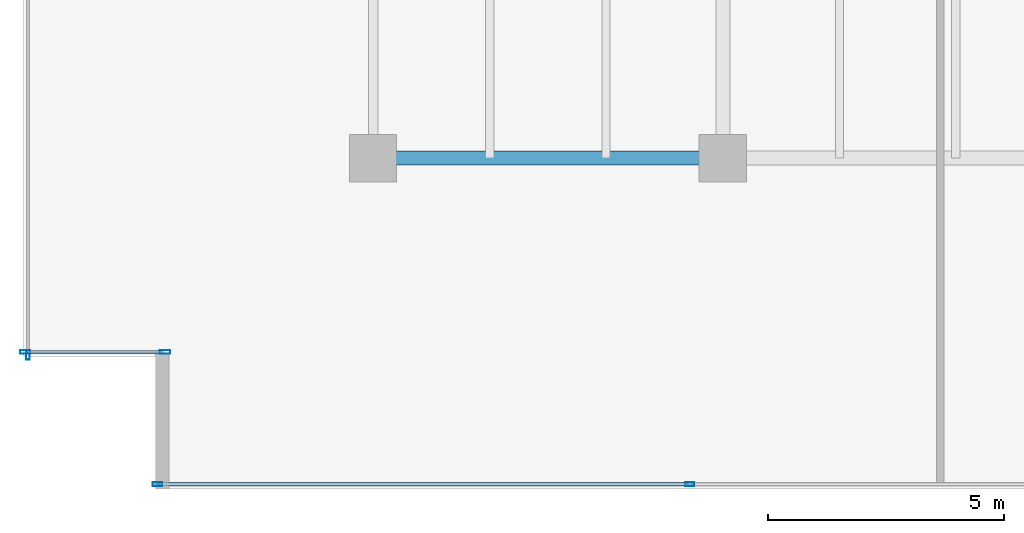
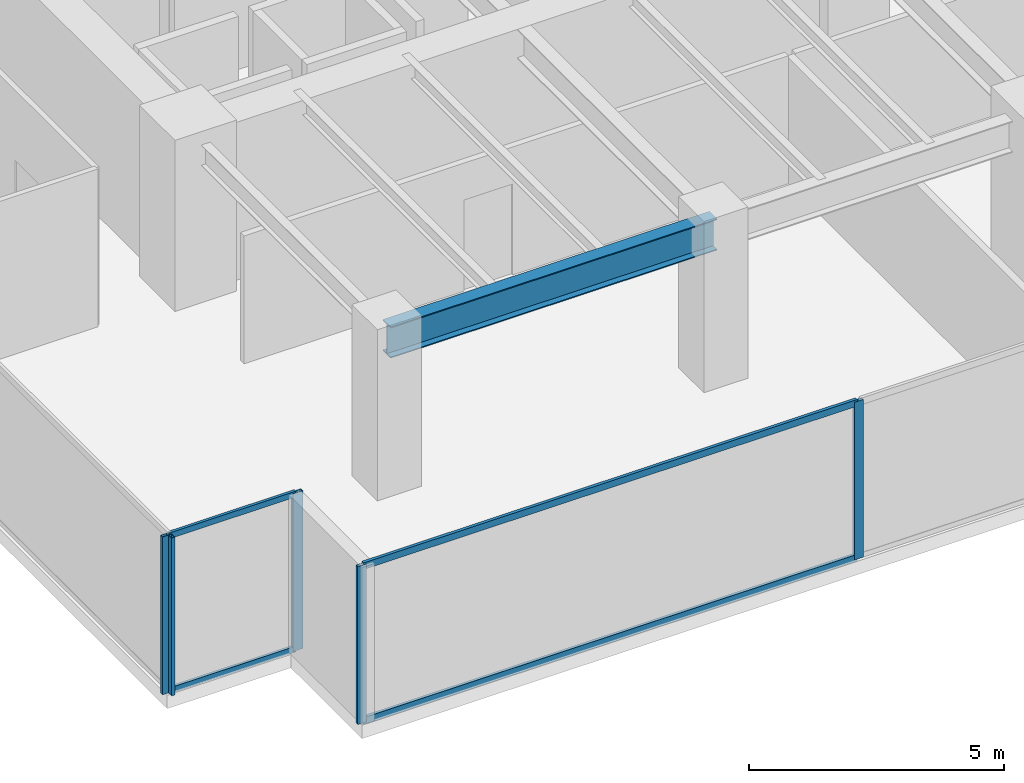
# One storey, part 2 of 35: 9 members, 1 beam, 3 elements without a shape of their own.
"""IFC4 building model written with IfcOpenShell, lengths in metres."""

from ifc_helpers import new_model, si_unit, direction, frame, origin, origin_2d, place, context, subcontext, project, spatial, hollow_rectangle, i_section, extrude, source, transform, mapped, material, layer, layer_set, material_profile, profile_set, type_object, type_shapes, element, aggregate, save


model = new_model("IFC4")

# Units and contexts
model_context = context("Model", 3, precision=1e-05, world=origin(), true_north=direction((0.0, 1.0)))
body_context = subcontext(model_context, "Body", "Model", "MODEL_VIEW")
ifc_project = project(units=[si_unit("LENGTHUNIT", "METRE"), si_unit("AREAUNIT", "SQUARE_METRE"), si_unit("VOLUMEUNIT", "CUBIC_METRE"), si_unit("PLANEANGLEUNIT", "RADIAN"), si_unit("MASSUNIT", "GRAM", prefix="KILO")], contexts=[model_context])

# Site, building, storey
site_placement = place(None, origin())
site = spatial("IfcSite", under=ifc_project, at=site_placement, CompositionType="ELEMENT")
building_placement = place(site_placement, origin())
building = spatial("IfcBuilding", under=site, at=building_placement, Name="Haelvirn Gate Laboratories", CompositionType="ELEMENT")
storey_placement = place(building_placement, frame((0.0, 0.0, 37.5)))
storey = spatial("IfcBuildingStorey", under=building, at=storey_placement, Name="L09", CompositionType="ELEMENT", Elevation=37.5)

# Beam
ifc_material_1 = material(Name="Steel SM355", Category="steel")
ifc_material_profile_1 = material_profile(ifc_material_1, i_section(OverallWidth=0.300048828125, OverallDepth=0.75, WebThickness=0.013916015625, FlangeThickness=0.02392578125, at=origin_2d()), Name="H-750x300x14x24")
ifc_profile_set_1 = profile_set([ifc_material_profile_1], Name="Steel SM355")
beam_type = type_object("IfcBeamType", Name="BM-G-750", PredefinedType="BEAM", material=ifc_profile_set_1)
shared_shape_1 = source(origin(), body_context, "Body", "SweptSolid", [
    extrude(i_section(OverallWidth=0.300048828125, OverallDepth=0.75, WebThickness=0.013916015625, FlangeThickness=0.02392578125, at=origin_2d()), origin(), (0.0, 0.0, 1.0), 7.400146484375),
])
type_shapes(beam_type, [shared_shape_1])
beam_placement = place(storey_placement, frame((7.39990234375, 7.0, 3.405029296875), z_axis=(1.0, 0.0, 0.0), x_axis=(0.0, 1.0, 0.0)))
element("IfcBeam", 1, at=beam_placement, inside=storey, type_object=beam_type, Name="L09 Primary Girder Y7.0 (7.4-14.8)", PredefinedType="BEAM", context=body_context, shape_type="MappedRepresentation", body=[
    mapped(shared_shape_1, transform((0.0, 0.0, 0.0), scale=1.0)),
])

# Curtain wall, members
ifc_material_2 = material(Name="Anodised bronze unitised aluminium & triple low-E glass", Category="aluminium")
ifc_layer_1 = layer(ifc_material_2, 0.18408203125, Name="CW-SYS-2")
ifc_layer_set_1 = layer_set([ifc_layer_1], Name="Anodised bronze unitised aluminium & triple low-E glass")
curtain_wall_type_1 = type_object("IfcCurtainWallType", Name="CW-SYS-2", PredefinedType="NOTDEFINED", material=ifc_layer_set_1)
curtain_wall_1_placement = place(storey_placement, origin())
curtain_wall_1 = element("IfcCurtainWall", 2, at=curtain_wall_1_placement, inside=storey, type_object=curtain_wall_type_1, Name="L09 Unitised Curtain Wall CW-L09-P0-E00-1", PredefinedType="NOTDEFINED")
ifc_material_3 = material(Name="Extruded aluminium 6063-T6 (anodised bronze)", Category="aluminium")
ifc_material_profile_2 = material_profile(ifc_material_3, hollow_rectangle(XDim=0.074951171875, YDim=0.199951171875, WallThickness=0.0048828125, at=origin_2d()), Name="CWM-200x75x5")
ifc_profile_set_2 = profile_set([ifc_material_profile_2], Name="Extruded aluminium 6063-T6 (anodised bronze)")
member_type_1 = type_object("IfcMemberType", Name="CWM-T200", PredefinedType="MULLION", material=ifc_profile_set_2)
shared_shape_2 = source(origin(), body_context, "Body", "SweptSolid", [
    extrude(hollow_rectangle(XDim=0.074951171875, YDim=0.199951171875, WallThickness=0.0048828125, at=origin_2d()), origin(), (0.0, 0.0, 1.0), 3.780029296875),
])
type_shapes(member_type_1, [shared_shape_2])
member_1_placement = place(storey_placement, frame((2.83740234375, 0.10009765625, 0.0), z_axis=(0.0, 0.0, 1.0), x_axis=(0.0, 1.0, 0.0)))
member_1 = element("IfcMember", 3, at=member_1_placement, type_object=member_type_1, Name="CW2 mullion 1", PredefinedType="MULLION", context=body_context, shape_type="MappedRepresentation", body=[
    mapped(shared_shape_2, transform((0.0, 0.0, 0.0), scale=1.0)),
])
member_2_placement = place(storey_placement, frame((14.10009765625, 0.10009765625, 0.0), z_axis=(0.0, 0.0, 1.0), x_axis=(0.0, 1.0, 0.0)))
member_2 = element("IfcMember", 4, at=member_2_placement, type_object=member_type_1, Name="CW2 mullion 2", PredefinedType="MULLION", context=body_context, shape_type="MappedRepresentation", body=[
    mapped(shared_shape_2, transform((0.0, 0.0, 0.0), scale=1.0)),
])

# Curtain wall, member
curtain_wall_2_placement = place(storey_placement, origin())
curtain_wall_2 = element("IfcCurtainWall", 5, at=curtain_wall_2_placement, inside=storey, type_object=curtain_wall_type_1, Name="L09 Unitised Curtain Wall CW-L09-P0-E17", PredefinedType="NOTDEFINED")
member_3_placement = place(storey_placement, frame((0.10009765625, 2.83740234375, 0.0), z_axis=(0.0, 0.0, 1.0), x_axis=(1.0, 0.0, 0.0)))
member_3 = element("IfcMember", 6, at=member_3_placement, type_object=member_type_1, Name="CW2 mullion 4", PredefinedType="MULLION", context=body_context, shape_type="MappedRepresentation", body=[
    mapped(shared_shape_2, transform((0.0, 0.0, 0.0), scale=1.0)),
])
aggregate(curtain_wall_2, [member_3])

# Member
ifc_material_profile_3 = material_profile(ifc_material_3, hollow_rectangle(XDim=0.070068359375, YDim=0.159912109375, WallThickness=0.0048828125, at=origin_2d()), Name="CWT-160x70x5")
ifc_profile_set_3 = profile_set([ifc_material_profile_3], Name="Extruded aluminium 6063-T6 (anodised bronze)")
member_type_2 = type_object("IfcMemberType", Name="CWT-T160", PredefinedType="USERDEFINED", material=ifc_profile_set_3)
shared_shape_3 = source(origin(), body_context, "Body", "SweptSolid", [
    extrude(hollow_rectangle(XDim=0.070068359375, YDim=0.159912109375, WallThickness=0.0048828125, at=origin_2d()), origin(), (0.0, 0.0, 1.0), 11.1875),
])
type_shapes(member_type_2, [shared_shape_3])
member_4_placement = place(storey_placement, frame((2.875, 0.10009765625, 0.034912109375), z_axis=(1.0, 0.0, 0.0), x_axis=(0.0, 1.0, 0.0)))
member_4 = element("IfcMember", 7, at=member_4_placement, type_object=member_type_2, Name="CW2 transom 1.1", ObjectType="TRANSOM", PredefinedType="USERDEFINED", context=body_context, shape_type="MappedRepresentation", body=[
    mapped(shared_shape_3, transform((0.0, 0.0, 0.0), scale=1.0)),
])

member_5_placement = place(storey_placement, frame((2.875, 0.10009765625, 3.7451171875), z_axis=(1.0, 0.0, 0.0), x_axis=(0.0, 1.0, 0.0)))
member_5 = element("IfcMember", 8, at=member_5_placement, type_object=member_type_2, Name="CW2 transom 1.2", ObjectType="TRANSOM", PredefinedType="USERDEFINED", context=body_context, shape_type="MappedRepresentation", body=[
    mapped(shared_shape_3, transform((0.0, 0.0, 0.0), scale=1.0)),
])

aggregate(curtain_wall_1, [member_1, member_2, member_4, member_5])

# Curtain wall, members
ifc_layer_2 = layer(ifc_material_2, 0.181884765625, Name="CW-SYS-5")
ifc_layer_set_2 = layer_set([ifc_layer_2], Name="Anodised bronze unitised aluminium & triple low-E glass")
curtain_wall_type_2 = type_object("IfcCurtainWallType", Name="CW-SYS-5", PredefinedType="NOTDEFINED", material=ifc_layer_set_2)
curtain_wall_3_placement = place(storey_placement, origin())
curtain_wall_3 = element("IfcCurtainWall", 9, at=curtain_wall_3_placement, inside=storey, type_object=curtain_wall_type_2, Name="L09 Unitised Curtain Wall CW-L09-P0-E18-1", PredefinedType="NOTDEFINED")
ifc_material_profile_4 = material_profile(ifc_material_3, hollow_rectangle(XDim=0.080078125, YDim=0.219970703125, WallThickness=0.006103515625, at=origin_2d()), Name="CWM-220x80x6")
ifc_profile_set_4 = profile_set([ifc_material_profile_4], Name="Extruded aluminium 6063-T6 (anodised bronze)")
member_type_3 = type_object("IfcMemberType", Name="CWM-T220", PredefinedType="MULLION", material=ifc_profile_set_4)
shared_shape_4 = source(origin(), body_context, "Body", "SweptSolid", [
    extrude(hollow_rectangle(XDim=0.080078125, YDim=0.219970703125, WallThickness=0.006103515625, at=origin_2d()), origin(), (0.0, 0.0, 1.0), 3.780029296875),
])
type_shapes(member_type_3, [shared_shape_4])
member_6_placement = place(storey_placement, frame((0.0400390625, 2.89990234375, 0.0), z_axis=(0.0, 0.0, 1.0), x_axis=(0.0, 1.0, 0.0)))
member_6 = element("IfcMember", 10, at=member_6_placement, type_object=member_type_3, Name="CW5 mullion 1", PredefinedType="MULLION", context=body_context, shape_type="MappedRepresentation", body=[
    mapped(shared_shape_4, transform((0.0, 0.0, 0.0), scale=1.0)),
])
member_7_placement = place(storey_placement, frame((3.0, 2.89990234375, 0.0), z_axis=(0.0, 0.0, 1.0), x_axis=(0.0, 1.0, 0.0)))
member_7 = element("IfcMember", 11, at=member_7_placement, type_object=member_type_3, Name="CW5 mullion 2", PredefinedType="MULLION", context=body_context, shape_type="MappedRepresentation", body=[
    mapped(shared_shape_4, transform((0.0, 0.0, 0.0), scale=1.0)),
])
ifc_material_profile_5 = material_profile(ifc_material_3, hollow_rectangle(XDim=0.06494140625, YDim=0.139892578125, WallThickness=0.00390625, at=origin_2d()), Name="CWT-140x65x4")
ifc_profile_set_5 = profile_set([ifc_material_profile_5], Name="Extruded aluminium 6063-T6 (anodised bronze)")
member_type_4 = type_object("IfcMemberType", Name="CWT-T140", PredefinedType="USERDEFINED", material=ifc_profile_set_5)
shared_shape_5 = source(origin(), body_context, "Body", "SweptSolid", [
    extrude(hollow_rectangle(XDim=0.06494140625, YDim=0.139892578125, WallThickness=0.00390625, at=origin_2d()), origin(), (0.0, 0.0, 1.0), 2.8798828125),
])
type_shapes(member_type_4, [shared_shape_5])
member_8_placement = place(storey_placement, frame((0.080078125, 2.89990234375, 0.032470703125), z_axis=(1.0, 0.0, 0.0), x_axis=(0.0, 1.0, 0.0)))
member_8 = element("IfcMember", 12, at=member_8_placement, type_object=member_type_4, Name="CW5 transom 1.1", ObjectType="TRANSOM", PredefinedType="USERDEFINED", context=body_context, shape_type="MappedRepresentation", body=[
    mapped(shared_shape_5, transform((0.0, 0.0, 0.0), scale=1.0)),
])
member_9_placement = place(storey_placement, frame((0.080078125, 2.89990234375, 3.74755859375), z_axis=(1.0, 0.0, 0.0), x_axis=(0.0, 1.0, 0.0)))
member_9 = element("IfcMember", 13, at=member_9_placement, type_object=member_type_4, Name="CW5 transom 1.2", ObjectType="TRANSOM", PredefinedType="USERDEFINED", context=body_context, shape_type="MappedRepresentation", body=[
    mapped(shared_shape_5, transform((0.0, 0.0, 0.0), scale=1.0)),
])
aggregate(curtain_wall_3, [member_6, member_7, member_8, member_9])

save(model, "model.ifc")
